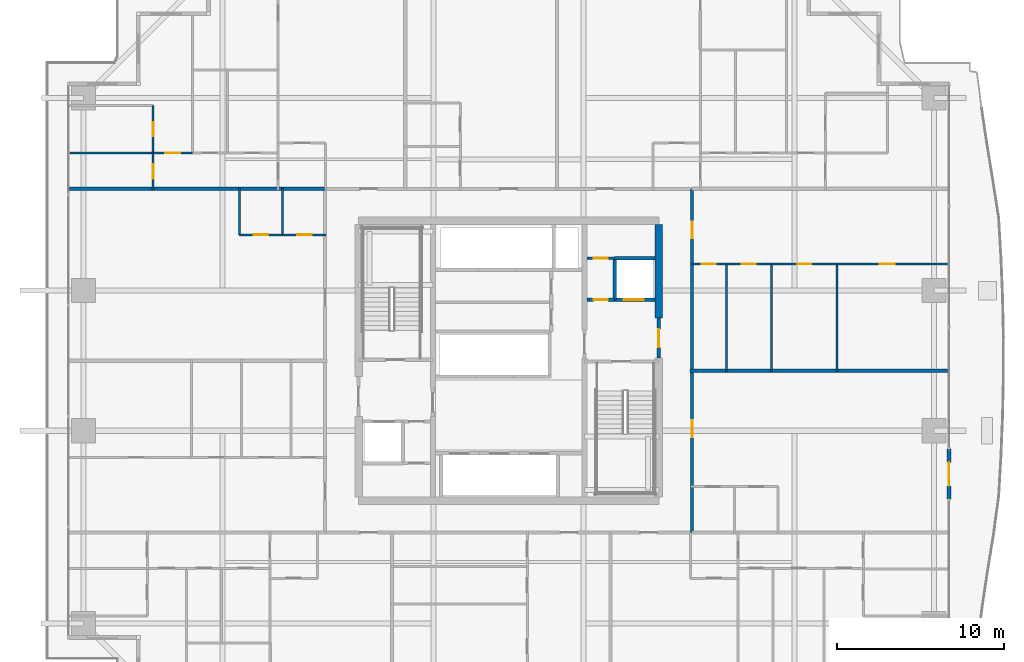
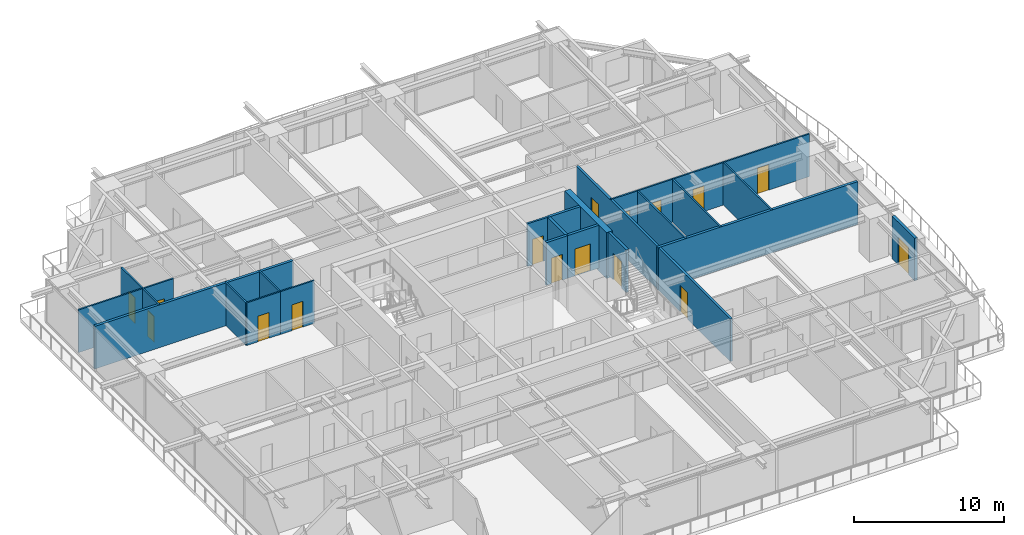
# One storey, part 30 of 38: 26 walls, 16 doors, 16 openings.
"""IFC4 building model written with IfcOpenShell, lengths in metres."""

from ifc_helpers import new_model, si_unit, direction, frame, frame_2d, origin, place, context, subcontext, project, spatial, rectangle, extrude, source, transform, mapped, material, layer, layer_set, type_object, element, fill, save


model = new_model("IFC4")

# Units and contexts
model_context = context("Model", 3, precision=1e-05, world=origin(), true_north=direction((0.0, 1.0)))
body_context = subcontext(model_context, "Body", "Model", "MODEL_VIEW")
ifc_project = project(units=[si_unit("LENGTHUNIT", "METRE"), si_unit("AREAUNIT", "SQUARE_METRE"), si_unit("VOLUMEUNIT", "CUBIC_METRE"), si_unit("PLANEANGLEUNIT", "RADIAN"), si_unit("MASSUNIT", "GRAM", prefix="KILO")], contexts=[model_context])

# Site, building, storey
site_placement = place(None, origin())
site = spatial("IfcSite", under=ifc_project, at=site_placement, CompositionType="ELEMENT")
building_placement = place(site_placement, origin())
building = spatial("IfcBuilding", under=site, at=building_placement, Name="Serunith Strait Residences", CompositionType="ELEMENT")
storey_placement = place(building_placement, frame((0.0, 0.0, 37.949951171875)))
storey = spatial("IfcBuildingStorey", under=building, at=storey_placement, Name="L08", CompositionType="ELEMENT", Elevation=37.949951171875)

# Wall, opening, door
ifc_material_1 = material(Name="Pale-Champagne Aluminium Insulated Panel", Category="aluminium")
ifc_layer_1 = layer(ifc_material_1, 0.219970703125, Name="Pale-Champagne Aluminium Insulated Panel")
ifc_layer_set_1 = layer_set([ifc_layer_1], Name="Pale-Champagne Aluminium Insulated Panel")
wall_type_1 = type_object("IfcWallType", Name="EW-ALUM-220", PredefinedType="ELEMENTEDWALL", material=ifc_layer_set_1)
wall_1_placement = place(storey_placement, frame((58.800048828125, 16.89990234375, 0.0), z_axis=(0.0, 0.0, 1.0), x_axis=(0.0, 1.0, 0.0)))
wall_1 = element("IfcWall", 1, at=wall_1_placement, inside=storey, type_object=wall_type_1, Name="L08 E Facade Pier Wall", PredefinedType="ELEMENTEDWALL", context=body_context, shape_type="SweptSolid", body=[
    extrude(rectangle(XDim=3.0, YDim=0.219970703125, at=frame_2d((1.5, 0.0))), origin(), (0.0, 0.0, 1.0), 3.47509765625),
])
opening_1_placement = place(wall_1_placement, frame((0.800048828125, 0.0, 0.0)))
opening_1 = element("IfcOpeningElement", 2, at=opening_1_placement, cuts=wall_1, Name="Opening ED-04", PredefinedType="OPENING", context=body_context, shape_type="SweptSolid", body=[
    extrude(rectangle(XDim=1.39990234375, YDim=2.25, at=frame_2d((0.699951171875, 1.125))), frame((0.0, 0.1201171875, 0.0), z_axis=(0.0, -1.0, 0.0), x_axis=(1.0, 0.0, 0.0)), (0.0, 0.0, 1.0), 0.239990234375),
])
ifc_material_2 = material(Name="Thermally-Broken Aluminium Sliding Balcony Door", Category="aluminium")
door_type_1 = type_object("IfcDoorType", Name="ED-BALC-1400", OperationType="NOTDEFINED", PredefinedType="DOOR", material=ifc_material_2)
shared_shape_1 = source(origin(), body_context, "Body", "SweptSolid", [
    extrude(rectangle(XDim=1.39990234375, YDim=2.25, at=frame_2d((0.699951171875, 1.125))), frame((0.0, 0.02490234375, 0.0), z_axis=(0.0, -1.0, 0.0), x_axis=(1.0, 0.0, 0.0)), (0.0, 0.0, 1.0), 0.050048828125),
])
door_1_placement = place(opening_1_placement, origin())
door_1 = element("IfcDoor", 3, at=door_1_placement, inside=storey, type_object=door_type_1, Name="L08 E Vertical-Forest Balcony Door", OperationType="SLIDING_TO_LEFT", OverallHeight=2.25, OverallWidth=1.39990234375, PredefinedType="DOOR", context=body_context, shape_type="MappedRepresentation", body=[
    mapped(shared_shape_1, transform((0.0, 0.0, 0.0), scale=1.0)),
])
fill(opening_1, door_1)

ifc_material_3 = material(Name="Fire-rated masonry service closet wall", Category="masonry")
ifc_layer_2 = layer(ifc_material_3, 0.14990234375, Name="Fire-rated masonry service closet wall")
ifc_layer_set_2 = layer_set([ifc_layer_2], Name="Fire-rated masonry service closet wall")
wall_type_2 = type_object("IfcWallType", Name="IW-BOH-150", PredefinedType="PARTITIONING", material=ifc_layer_set_2)
wall_2_placement = place(storey_placement, frame((37.10009765625, 31.35009765625, 0.0), z_axis=(0.0, 0.0, 1.0), x_axis=(1.0, 0.0, 0.0)))
wall_2 = element("IfcWall", 4, at=wall_2_placement, inside=storey, type_object=wall_type_2, Name="L08 Partition Wall 013", PredefinedType="PARTITIONING", context=body_context, shape_type="SweptSolid", body=[
    extrude(rectangle(XDim=1.64794921875, YDim=0.14990234375, at=frame_2d((0.823974609375, 0.0))), origin(), (0.0, 0.0, 1.0), 3.489990234375),
])
opening_2_placement = place(wall_2_placement, frame((0.39892578125, 0.0, 0.0)))
opening_2 = element("IfcOpeningElement", 5, at=opening_2_placement, cuts=wall_2, Name="Opening FD-850", PredefinedType="OPENING", context=body_context, shape_type="SweptSolid", body=[
    extrude(rectangle(XDim=0.85009765625, YDim=2.10009765625, at=frame_2d((0.425048828125, 1.050048828125))), frame((0.0, 0.0849609375, 0.0), z_axis=(0.0, -1.0, 0.0), x_axis=(1.0, 0.0, 0.0)), (0.0, 0.0, 1.0), 0.169921875),
])
ifc_material_4 = material(Name="Powder-coated steel service closet door", Category="steel")
door_type_2 = type_object("IfcDoorType", Name="FD-BOH-850", OperationType="NOTDEFINED", PredefinedType="DOOR", material=ifc_material_4)
shared_shape_2 = source(origin(), body_context, "Body", "SweptSolid", [
    extrude(rectangle(XDim=0.85009765625, YDim=2.10009765625, at=frame_2d((0.425048828125, 1.050048828125))), frame((0.0, 0.02490234375, 0.0), z_axis=(0.0, -1.0, 0.0), x_axis=(1.0, 0.0, 0.0)), (0.0, 0.0, 1.0), 0.050048828125),
])
door_2_placement = place(opening_2_placement, origin())
door_2 = element("IfcDoor", 6, at=door_2_placement, inside=storey, type_object=door_type_2, Name="L08 Refuse Store Door", OperationType="SINGLE_SWING_LEFT", OverallHeight=2.10009765625, OverallWidth=0.85009765625, PredefinedType="DOOR", context=body_context, shape_type="MappedRepresentation", body=[
    mapped(shared_shape_2, transform((0.0, 0.0, 0.0), scale=1.0)),
])
fill(opening_2, door_2)

# Wall, openings, doors
ifc_material_5 = material(Name="Fire-rated acoustic gypsum partition")
ifc_layer_3 = layer(ifc_material_5, 0.179931640625, Name="Fire-rated acoustic gypsum partition")
ifc_layer_set_3 = layer_set([ifc_layer_3], Name="Fire-rated acoustic gypsum partition")
wall_type_3 = type_object("IfcWallType", Name="IW-CORR-180", PredefinedType="PARTITIONING", material=ifc_layer_set_3)
wall_3_placement = place(storey_placement, frame((43.39990234375, 14.89990234375, 0.0), z_axis=(0.0, 0.0, 1.0), x_axis=(0.0, 1.0, 0.0)))
wall_3 = element("IfcWall", 7, at=wall_3_placement, inside=storey, type_object=wall_type_3, Name="L08 Partition Wall 030", PredefinedType="PARTITIONING", context=body_context, shape_type="SweptSolid", body=[
    extrude(rectangle(XDim=20.60009765625, YDim=0.179931640625, at=frame_2d((10.300048828125, 0.0))), origin(), (0.0, 0.0, 1.0), 3.489990234375),
])
opening_3_placement = place(wall_3_placement, frame((5.722900390625, 0.0, 0.0)))
opening_3 = element("IfcOpeningElement", 8, at=opening_3_placement, cuts=wall_3, Name="Opening D-APT1000", PredefinedType="OPENING", context=body_context, shape_type="SweptSolid", body=[
    extrude(rectangle(XDim=1.0, YDim=2.14990234375, at=frame_2d((0.5, 1.074951171875))), frame((0.0, 0.10009765625, 0.0), z_axis=(0.0, -1.0, 0.0), x_axis=(1.0, 0.0, 0.0)), (0.0, 0.0, 1.0), 0.199951171875),
])
opening_4_placement = place(wall_3_placement, frame((17.639892578125, 0.0, 0.0)))
opening_4 = element("IfcOpeningElement", 9, at=opening_4_placement, cuts=wall_3, Name="Opening D-APT1000", PredefinedType="OPENING", context=body_context, shape_type="SweptSolid", body=[
    extrude(rectangle(XDim=1.0, YDim=2.14990234375, at=frame_2d((0.5, 1.074951171875))), frame((0.0, 0.10009765625, 0.0), z_axis=(0.0, -1.0, 0.0), x_axis=(1.0, 0.0, 0.0)), (0.0, 0.0, 1.0), 0.199951171875),
])
ifc_material_6 = material(Name="Solid timber engineered fire door", Category="wood")
door_type_3 = type_object("IfcDoorType", Name="ID-APT-1000", OperationType="NOTDEFINED", PredefinedType="DOOR", material=ifc_material_6)
shared_shape_3 = source(origin(), body_context, "Body", "SweptSolid", [
    extrude(rectangle(XDim=1.0, YDim=2.14990234375, at=frame_2d((0.5, 1.074951171875))), frame((0.0, 0.02490234375, 0.0), z_axis=(0.0, -1.0, 0.0), x_axis=(1.0, 0.0, 0.0)), (0.0, 0.0, 1.0), 0.050048828125),
])
door_3_placement = place(opening_3_placement, origin())
door_3 = element("IfcDoor", 10, at=door_3_placement, inside=storey, type_object=door_type_3, Name="L08 Unit 09 Entrance Door", OperationType="SINGLE_SWING_RIGHT", OverallHeight=2.14990234375, OverallWidth=1.0, PredefinedType="DOOR", context=body_context, shape_type="MappedRepresentation", body=[
    mapped(shared_shape_3, transform((0.0, 0.0, 0.0), scale=1.0)),
])
fill(opening_3, door_3)
door_4_placement = place(opening_4_placement, origin())
door_4 = element("IfcDoor", 11, at=door_4_placement, inside=storey, type_object=door_type_3, Name="L08 Unit 10 Entrance Door", OperationType="SINGLE_SWING_LEFT", OverallHeight=2.14990234375, OverallWidth=1.0, PredefinedType="DOOR", context=body_context, shape_type="MappedRepresentation", body=[
    mapped(shared_shape_3, transform((0.0, 0.0, 0.0), scale=1.0)),
])
fill(opening_4, door_4)

# Wall, opening, door
ifc_material_7 = material(Name="Lightweight steel-stud gypsum partition", Category="steel")
ifc_layer_4 = layer(ifc_material_7, 0.1201171875, Name="Lightweight steel-stud gypsum partition")
ifc_layer_set_4 = layer_set([ifc_layer_4], Name="Lightweight steel-stud gypsum partition")
wall_type_4 = type_object("IfcWallType", Name="IW-PART-120", PredefinedType="PARTITIONING", material=ifc_layer_set_4)
wall_4_placement = place(storey_placement, frame((11.080078125, 37.64990234375, 0.0), z_axis=(0.0, 0.0, 1.0), x_axis=(1.0, 0.0, 0.0)))
wall_4 = element("IfcWall", 12, at=wall_4_placement, inside=storey, type_object=wall_type_4, Name="L08 Partition Wall 078", PredefinedType="PARTITIONING", context=body_context, shape_type="SweptSolid", body=[
    extrude(rectangle(XDim=2.347900390625, YDim=0.1201171875, at=frame_2d((1.173828125, 0.0))), origin(), (0.0, 0.0, 1.0), 3.489990234375),
])
opening_5_placement = place(wall_4_placement, frame((0.72412109375, 0.0, 0.0)))
opening_5 = element("IfcOpeningElement", 13, at=opening_5_placement, cuts=wall_4, Name="Opening D-RM900", PredefinedType="OPENING", context=body_context, shape_type="SweptSolid", body=[
    extrude(rectangle(XDim=0.89990234375, YDim=2.10009765625, at=frame_2d((0.449951171875, 1.050048828125))), frame((0.0, 0.070068359375, 0.0), z_axis=(0.0, -1.0, 0.0), x_axis=(1.0, 0.0, 0.0)), (0.0, 0.0, 1.0), 0.14013671875),
])
ifc_material_8 = material(Name="Engineered timber flush bedroom door", Category="wood")
door_type_4 = type_object("IfcDoorType", Name="ID-ROOM-900", OperationType="NOTDEFINED", PredefinedType="DOOR", material=ifc_material_8)
shared_shape_4 = source(origin(), body_context, "Body", "SweptSolid", [
    extrude(rectangle(XDim=0.89990234375, YDim=2.10009765625, at=frame_2d((0.449951171875, 1.050048828125))), frame((0.0, 0.02490234375, 0.0), z_axis=(0.0, -1.0, 0.0), x_axis=(1.0, 0.0, 0.0)), (0.0, 0.0, 1.0), 0.050048828125),
])
door_5_placement = place(opening_5_placement, origin())
door_5 = element("IfcDoor", 14, at=door_5_placement, inside=storey, type_object=door_type_4, Name="L08 Master Bedroom W 0804 Door", OperationType="SINGLE_SWING_LEFT", OverallHeight=2.10009765625, OverallWidth=0.89990234375, PredefinedType="DOOR", context=body_context, shape_type="MappedRepresentation", body=[
    mapped(shared_shape_4, transform((0.0, 0.0, 0.0), scale=1.0)),
])
fill(opening_5, door_5)

# Wall
wall_5_placement = place(storey_placement, frame((6.094970703125, 37.6630859375, 0.0), z_axis=(0.0, 0.0, 1.0), x_axis=(1.0, 0.0, 0.0)))
element("IfcWall", 15, at=wall_5_placement, inside=storey, type_object=wall_type_4, Name="L08 Partition Wall 080", PredefinedType="PARTITIONING", context=body_context, shape_type="SweptSolid", body=[
    extrude(rectangle(XDim=4.98291015625, YDim=0.1201171875, at=frame_2d((2.491455078125, 0.0))), origin(), (0.0, 0.0, 1.0), 3.489990234375),
])

# Wall, opening, door
wall_6_placement = place(storey_placement, frame((11.080078125, 40.506103515625, 0.0), z_axis=(0.0, 0.0, 1.0), x_axis=(0.0, -1.0, 0.0)))
wall_6 = element("IfcWall", 16, at=wall_6_placement, inside=storey, type_object=wall_type_4, Name="L08 Partition Wall 081", PredefinedType="PARTITIONING", context=body_context, shape_type="SweptSolid", body=[
    extrude(rectangle(XDim=2.843017578125, YDim=0.1201171875, at=frame_2d((1.42138671875, 0.0))), origin(), (0.0, 0.0, 1.0), 3.489990234375),
])
opening_6_placement = place(wall_6_placement, frame((0.9970703125, 0.0, 0.0)))
opening_6 = element("IfcOpeningElement", 17, at=opening_6_placement, cuts=wall_6, Name="Opening D-BTH850", PredefinedType="OPENING", context=body_context, shape_type="SweptSolid", body=[
    extrude(rectangle(XDim=0.85009765625, YDim=2.10009765625, at=frame_2d((0.425048828125, 1.050048828125))), frame((0.0, 0.070068359375, 0.0), z_axis=(0.0, -1.0, 0.0), x_axis=(1.0, 0.0, 0.0)), (0.0, 0.0, 1.0), 0.14013671875),
])
ifc_material_9 = material(Name="Moisture-resistant timber bathroom door", Category="wood")
door_type_5 = type_object("IfcDoorType", Name="ID-BATH-850", OperationType="NOTDEFINED", PredefinedType="DOOR", material=ifc_material_9)
door_6_placement = place(opening_6_placement, origin())
door_6 = element("IfcDoor", 18, at=door_6_placement, inside=storey, type_object=door_type_5, Name="L08 En-suite Bathroom W 0804 Door", OperationType="SINGLE_SWING_RIGHT", OverallHeight=2.10009765625, OverallWidth=0.85009765625, PredefinedType="DOOR", context=body_context, shape_type="MappedRepresentation", body=[
    mapped(shared_shape_2, transform((0.0, 0.0, 0.0), scale=1.0)),
])
fill(opening_6, door_6)

wall_7_placement = place(storey_placement, frame((11.080078125, 37.64990234375, 0.0), z_axis=(0.0, 0.0, 1.0), x_axis=(0.0, -1.0, 0.0)))
wall_7 = element("IfcWall", 19, at=wall_7_placement, inside=storey, type_object=wall_type_4, Name="L08 Partition Wall 082", PredefinedType="PARTITIONING", context=body_context, shape_type="SweptSolid", body=[
    extrude(rectangle(XDim=2.2099609375, YDim=0.1201171875, at=frame_2d((1.10498046875, 0.0))), origin(), (0.0, 0.0, 1.0), 3.489990234375),
])
opening_7_placement = place(wall_7_placement, frame((0.679931640625, 0.0, 0.0)))
opening_7 = element("IfcOpeningElement", 20, at=opening_7_placement, cuts=wall_7, Name="Opening D-RM850", PredefinedType="OPENING", context=body_context, shape_type="SweptSolid", body=[
    extrude(rectangle(XDim=0.85009765625, YDim=2.10009765625, at=frame_2d((0.425048828125, 1.050048828125))), frame((0.0, 0.070068359375, 0.0), z_axis=(0.0, -1.0, 0.0), x_axis=(1.0, 0.0, 0.0)), (0.0, 0.0, 1.0), 0.14013671875),
])
ifc_material_10 = material(Name="Engineered timber flush study and kitchen door", Category="wood")
door_type_6 = type_object("IfcDoorType", Name="ID-ROOM-850", OperationType="NOTDEFINED", PredefinedType="DOOR", material=ifc_material_10)
door_7_placement = place(opening_7_placement, origin())
door_7 = element("IfcDoor", 21, at=door_7_placement, inside=storey, type_object=door_type_6, Name="L08 Wardrobe W 0804 Door", OperationType="SINGLE_SWING_LEFT", OverallHeight=2.10009765625, OverallWidth=0.85009765625, PredefinedType="DOOR", context=body_context, shape_type="MappedRepresentation", body=[
    mapped(shared_shape_2, transform((0.0, 0.0, 0.0), scale=1.0)),
])
fill(opening_7, door_7)

wall_8_placement = place(storey_placement, frame((16.25, 32.75, 0.0), z_axis=(0.0, 0.0, 1.0), x_axis=(1.0, 0.0, 0.0)))
wall_8 = element("IfcWall", 22, at=wall_8_placement, inside=storey, type_object=wall_type_4, Name="L08 Partition Wall 110", PredefinedType="PARTITIONING", context=body_context, shape_type="SweptSolid", body=[
    extrude(rectangle(XDim=2.60009765625, YDim=0.1201171875, at=frame_2d((1.300048828125, 0.0))), origin(), (0.0, 0.0, 1.0), 3.489990234375),
])
opening_8_placement = place(wall_8_placement, frame((0.875, 0.0, 0.0)))
opening_8 = element("IfcOpeningElement", 23, at=opening_8_placement, cuts=wall_8, Name="Opening D-RM850", PredefinedType="OPENING", context=body_context, shape_type="SweptSolid", body=[
    extrude(rectangle(XDim=0.85009765625, YDim=2.10009765625, at=frame_2d((0.425048828125, 1.050048828125))), frame((0.0, 0.070068359375, 0.0), z_axis=(0.0, -1.0, 0.0), x_axis=(1.0, 0.0, 0.0)), (0.0, 0.0, 1.0), 0.14013671875),
])
door_8_placement = place(opening_8_placement, origin())
door_8 = element("IfcDoor", 24, at=door_8_placement, inside=storey, type_object=door_type_6, Name="L08 Kitchen 0808 Door", OperationType="SINGLE_SWING_RIGHT", OverallHeight=2.10009765625, OverallWidth=0.85009765625, PredefinedType="DOOR", context=body_context, shape_type="MappedRepresentation", body=[
    mapped(shared_shape_2, transform((0.0, 0.0, 0.0), scale=1.0)),
])
fill(opening_8, door_8)

wall_9_placement = place(storey_placement, frame((18.85205078125, 32.75, 0.0), z_axis=(0.0, 0.0, 1.0), x_axis=(1.0, 0.0, 0.0)))
wall_9 = element("IfcWall", 25, at=wall_9_placement, inside=storey, type_object=wall_type_4, Name="L08 Partition Wall 111", PredefinedType="PARTITIONING", context=body_context, shape_type="SweptSolid", body=[
    extrude(rectangle(XDim=2.60791015625, YDim=0.1201171875, at=frame_2d((1.303955078125, 0.0))), origin(), (0.0, 0.0, 1.0), 3.489990234375),
])
opening_9_placement = place(wall_9_placement, frame((0.87890625, 0.0, 0.0)))
opening_9 = element("IfcOpeningElement", 26, at=opening_9_placement, cuts=wall_9, Name="Opening D-BTH850", PredefinedType="OPENING", context=body_context, shape_type="SweptSolid", body=[
    extrude(rectangle(XDim=0.85009765625, YDim=2.10009765625, at=frame_2d((0.425048828125, 1.050048828125))), frame((0.0, 0.070068359375, 0.0), z_axis=(0.0, -1.0, 0.0), x_axis=(1.0, 0.0, 0.0)), (0.0, 0.0, 1.0), 0.14013671875),
])
door_9_placement = place(opening_9_placement, origin())
door_9 = element("IfcDoor", 27, at=door_9_placement, inside=storey, type_object=door_type_5, Name="L08 Bathroom 0808 Door", OperationType="SINGLE_SWING_LEFT", OverallHeight=2.10009765625, OverallWidth=0.85009765625, PredefinedType="DOOR", context=body_context, shape_type="MappedRepresentation", body=[
    mapped(shared_shape_2, transform((0.0, 0.0, 0.0), scale=1.0)),
])
fill(opening_9, door_9)

# Walls
for number, where, z_axis, x_axis, name in (
    (28, (18.85009765625, 32.75, 0.0), (0.0, 0.0, 1.0), (0.0, 1.0, 0.0), "L08 Partition Wall 112"),
    (29, (16.25, 32.75, 0.0), (0.0, 0.0, 1.0), (0.0, 1.0, 0.0), "L08 Partition Wall 113"),
):
    element("IfcWall", number, at=place(storey_placement, frame(where, z_axis=z_axis, x_axis=x_axis)), inside=storey, type_object=wall_type_4, Name=name, PredefinedType="PARTITIONING", context=body_context, shape_type="SweptSolid", body=[
        extrude(rectangle(XDim=2.81005859375, YDim=0.1201171875, at=frame_2d((1.405029296875, 0.0))), origin(), (0.0, 0.0, 1.0), 3.489990234375),
    ])

# Wall, opening, door
wall_10_placement = place(storey_placement, frame((58.705078125, 31.0, 0.0), z_axis=(0.0, 0.0, 1.0), x_axis=(-1.0, 0.0, 0.0)))
wall_10 = element("IfcWall", 30, at=wall_10_placement, inside=storey, type_object=wall_type_4, Name="L08 Partition Wall 118", PredefinedType="PARTITIONING", context=body_context, shape_type="SweptSolid", body=[
    extrude(rectangle(XDim=6.6171875, YDim=0.1201171875, at=frame_2d((3.30859375, 0.0))), origin(), (0.0, 0.0, 1.0), 3.489990234375),
])
opening_10_placement = place(wall_10_placement, frame((3.14404296875, 0.0, 0.0)))
opening_10 = element("IfcOpeningElement", 31, at=opening_10_placement, cuts=wall_10, Name="Opening D-RM900", PredefinedType="OPENING", context=body_context, shape_type="SweptSolid", body=[
    extrude(rectangle(XDim=0.89990234375, YDim=2.10009765625, at=frame_2d((0.449951171875, 1.050048828125))), frame((0.0, 0.070068359375, 0.0), z_axis=(0.0, -1.0, 0.0), x_axis=(1.0, 0.0, 0.0)), (0.0, 0.0, 1.0), 0.14013671875),
])
door_10_placement = place(opening_10_placement, origin())
door_10 = element("IfcDoor", 32, at=door_10_placement, inside=storey, type_object=door_type_4, Name="L08 Master Bedroom 1 0810 Door", OperationType="SINGLE_SWING_RIGHT", OverallHeight=2.10009765625, OverallWidth=0.89990234375, PredefinedType="DOOR", context=body_context, shape_type="MappedRepresentation", body=[
    mapped(shared_shape_4, transform((0.0, 0.0, 0.0), scale=1.0)),
])
fill(opening_10, door_10)

# Walls
for number, where, z_axis, x_axis, name in (
    (33, (52.087890625, 24.5400390625, 0.0), (0.0, 0.0, 1.0), (0.0, 1.0, 0.0), "L08 Partition Wall 119"),
    (34, (48.153076171875, 24.5400390625, 0.0), (0.0, 0.0, 1.0), (0.0, 1.0, 0.0), "L08 Partition Wall 120"),
    (35, (45.449951171875, 24.5400390625, 0.0), (0.0, 0.0, 1.0), (0.0, 1.0, 0.0), "L08 Partition Wall 121"),
):
    element("IfcWall", number, at=place(storey_placement, frame(where, z_axis=z_axis, x_axis=x_axis)), inside=storey, type_object=wall_type_4, Name=name, PredefinedType="PARTITIONING", context=body_context, shape_type="SweptSolid", body=[
        extrude(rectangle(XDim=6.4599609375, YDim=0.1201171875, at=frame_2d((3.22998046875, 0.0))), origin(), (0.0, 0.0, 1.0), 3.489990234375),
    ])

# Wall, opening, door
wall_11_placement = place(storey_placement, frame((52.0859375, 31.0, 0.0), z_axis=(0.0, 0.0, 1.0), x_axis=(-1.0, 0.0, 0.0)))
wall_11 = element("IfcWall", 36, at=wall_11_placement, inside=storey, type_object=wall_type_4, Name="L08 Partition Wall 122", PredefinedType="PARTITIONING", context=body_context, shape_type="SweptSolid", body=[
    extrude(rectangle(XDim=3.932861328125, YDim=0.1201171875, at=frame_2d((1.96630859375, 0.0))), origin(), (0.0, 0.0, 1.0), 3.489990234375),
])
opening_11_placement = place(wall_11_placement, frame((1.541015625, 0.0, 0.0)))
opening_11 = element("IfcOpeningElement", 37, at=opening_11_placement, cuts=wall_11, Name="Opening D-RM850", PredefinedType="OPENING", context=body_context, shape_type="SweptSolid", body=[
    extrude(rectangle(XDim=0.85009765625, YDim=2.10009765625, at=frame_2d((0.425048828125, 1.050048828125))), frame((0.0, 0.070068359375, 0.0), z_axis=(0.0, -1.0, 0.0), x_axis=(1.0, 0.0, 0.0)), (0.0, 0.0, 1.0), 0.14013671875),
])
door_11_placement = place(opening_11_placement, origin())
door_11 = element("IfcDoor", 38, at=door_11_placement, inside=storey, type_object=door_type_6, Name="L08 Dining 0810 Door", OperationType="SINGLE_SWING_LEFT", OverallHeight=2.10009765625, OverallWidth=0.85009765625, PredefinedType="DOOR", context=body_context, shape_type="MappedRepresentation", body=[
    mapped(shared_shape_2, transform((0.0, 0.0, 0.0), scale=1.0)),
])
fill(opening_11, door_11)

wall_12_placement = place(storey_placement, frame((48.15087890625, 31.0, 0.0), z_axis=(0.0, 0.0, 1.0), x_axis=(-1.0, 0.0, 0.0)))
wall_12 = element("IfcWall", 39, at=wall_12_placement, inside=storey, type_object=wall_type_4, Name="L08 Partition Wall 123", PredefinedType="PARTITIONING", context=body_context, shape_type="SweptSolid", body=[
    extrude(rectangle(XDim=2.700927734375, YDim=0.1201171875, at=frame_2d((1.3505859375, 0.0))), origin(), (0.0, 0.0, 1.0), 3.489990234375),
])
opening_12_placement = place(wall_12_placement, frame((0.926025390625, 0.0, 0.0)))
opening_12 = element("IfcOpeningElement", 40, at=opening_12_placement, cuts=wall_12, Name="Opening D-RM850", PredefinedType="OPENING", context=body_context, shape_type="SweptSolid", body=[
    extrude(rectangle(XDim=0.85009765625, YDim=2.10009765625, at=frame_2d((0.425048828125, 1.050048828125))), frame((0.0, 0.070068359375, 0.0), z_axis=(0.0, -1.0, 0.0), x_axis=(1.0, 0.0, 0.0)), (0.0, 0.0, 1.0), 0.14013671875),
])
door_12_placement = place(opening_12_placement, origin())
door_12 = element("IfcDoor", 41, at=door_12_placement, inside=storey, type_object=door_type_6, Name="L08 Kitchen 0810 Door", OperationType="SINGLE_SWING_RIGHT", OverallHeight=2.10009765625, OverallWidth=0.85009765625, PredefinedType="DOOR", context=body_context, shape_type="MappedRepresentation", body=[
    mapped(shared_shape_2, transform((0.0, 0.0, 0.0), scale=1.0)),
])
fill(opening_12, door_12)

wall_13_placement = place(storey_placement, frame((45.447998046875, 31.0, 0.0), z_axis=(0.0, 0.0, 1.0), x_axis=(-1.0, 0.0, 0.0)))
wall_13 = element("IfcWall", 42, at=wall_13_placement, inside=storey, type_object=wall_type_4, Name="L08 Partition Wall 124", PredefinedType="PARTITIONING", context=body_context, shape_type="SweptSolid", body=[
    extrude(rectangle(XDim=2.10791015625, YDim=0.1201171875, at=frame_2d((1.053955078125, 0.0))), origin(), (0.0, 0.0, 1.0), 3.489990234375),
])
opening_13_placement = place(wall_13_placement, frame((0.62890625, 0.0, 0.0)))
opening_13 = element("IfcOpeningElement", 43, at=opening_13_placement, cuts=wall_13, Name="Opening D-BTH850", PredefinedType="OPENING", context=body_context, shape_type="SweptSolid", body=[
    extrude(rectangle(XDim=0.85009765625, YDim=2.10009765625, at=frame_2d((0.425048828125, 1.050048828125))), frame((0.0, 0.070068359375, 0.0), z_axis=(0.0, -1.0, 0.0), x_axis=(1.0, 0.0, 0.0)), (0.0, 0.0, 1.0), 0.14013671875),
])
door_13_placement = place(opening_13_placement, origin())
door_13 = element("IfcDoor", 44, at=door_13_placement, inside=storey, type_object=door_type_5, Name="L08 Bathroom 0810 Door", OperationType="SINGLE_SWING_LEFT", OverallHeight=2.10009765625, OverallWidth=0.85009765625, PredefinedType="DOOR", context=body_context, shape_type="MappedRepresentation", body=[
    mapped(shared_shape_2, transform((0.0, 0.0, 0.0), scale=1.0)),
])
fill(opening_13, door_13)

# Walls
ifc_material_11 = material(Name="Twin-stud acoustic gypsum board partition")
ifc_layer_5 = layer(ifc_material_11, 0.199951171875, Name="Twin-stud acoustic gypsum board partition")
ifc_layer_set_5 = layer_set([ifc_layer_5], Name="Twin-stud acoustic gypsum board partition")
wall_type_5 = type_object("IfcWallType", Name="IW-PARTY-200", PredefinedType="PARTITIONING", material=ifc_layer_set_5)
wall_14_placement = place(storey_placement, frame((43.280029296875, 24.60009765625, 0.0), z_axis=(0.0, 0.0, 1.0), x_axis=(1.0, 0.0, 0.0)))
element("IfcWall", 45, at=wall_14_placement, inside=storey, type_object=wall_type_5, Name="L08 Partition Wall 022", PredefinedType="PARTITIONING", context=body_context, shape_type="SweptSolid", body=[
    extrude(rectangle(XDim=15.43798828125, YDim=0.199951171875, at=frame_2d((7.718994140625, 0.0))), origin(), (0.0, 0.0, 1.0), 3.489990234375),
])
wall_15_placement = place(storey_placement, frame((6.08203125, 35.5, 0.0), z_axis=(0.0, 0.0, 1.0), x_axis=(1.0, 0.0, 0.0)))
element("IfcWall", 46, at=wall_15_placement, inside=storey, type_object=wall_type_5, Name="L08 Partition Wall 025", PredefinedType="PARTITIONING", context=body_context, shape_type="SweptSolid", body=[
    extrude(rectangle(XDim=15.31787109375, YDim=0.199951171875, at=frame_2d((7.658935546875, 0.0))), origin(), (0.0, 0.0, 1.0), 3.489990234375),
])

# Wall, opening, door
ifc_material_12 = material(Name="Autoclaved aerated concrete blockwork", Category="masonry")
ifc_layer_6 = layer(ifc_material_12, 0.199951171875, Name="Autoclaved aerated concrete blockwork")
ifc_layer_set_6 = layer_set([ifc_layer_6], Name="Autoclaved aerated concrete blockwork")
wall_type_6 = type_object("IfcWallType", Name="IW-SHAFT-200", PredefinedType="STANDARD", material=ifc_layer_set_6)
wall_16_placement = place(storey_placement, frame((38.75, 28.85009765625, 0.0), z_axis=(0.0, 0.0, 1.0), x_axis=(1.0, 0.0, 0.0)))
wall_16 = element("IfcWall", 47, at=wall_16_placement, inside=storey, type_object=wall_type_6, Name="L08 FL-2 South Shaft Wall", PredefinedType="STANDARD", context=body_context, shape_type="SweptSolid", body=[
    extrude(rectangle(XDim=2.425048828125, YDim=0.199951171875, at=frame_2d((1.21240234375, 0.0))), origin(), (0.0, 0.0, 1.0), 3.489990234375),
])
opening_14_placement = place(wall_16_placement, frame((0.550048828125, 0.0, 0.0)))
opening_14 = element("IfcOpeningElement", 48, at=opening_14_placement, cuts=wall_16, Name="Opening LD-FF1200", PredefinedType="OPENING", context=body_context, shape_type="SweptSolid", body=[
    extrude(rectangle(XDim=1.199951171875, YDim=2.199951171875, at=frame_2d((0.60009765625, 1.10009765625))), frame((0.0, 0.10986328125, 0.0), z_axis=(0.0, -1.0, 0.0), x_axis=(1.0, 0.0, 0.0)), (0.0, 0.0, 1.0), 0.219970703125),
])
ifc_material_13 = material(Name="Brushed stainless steel landing door", Category="steel")
door_type_7 = type_object("IfcDoorType", Name="LD-FF-1200", OperationType="DOUBLE_DOOR_SLIDING", PredefinedType="DOOR", material=ifc_material_13)
shared_shape_5 = source(origin(), body_context, "Body", "SweptSolid", [
    extrude(rectangle(XDim=1.199951171875, YDim=2.199951171875, at=frame_2d((0.60009765625, 1.10009765625))), frame((0.0, 0.02490234375, 0.0), z_axis=(0.0, -1.0, 0.0), x_axis=(1.0, 0.0, 0.0)), (0.0, 0.0, 1.0), 0.050048828125),
])
door_14_placement = place(opening_14_placement, origin())
door_14 = element("IfcDoor", 49, at=door_14_placement, inside=storey, type_object=door_type_7, Name="L08 FL-2 Landing Door", OperationType="DOUBLE_DOOR_SLIDING", OverallHeight=2.199951171875, OverallWidth=1.199951171875, PredefinedType="DOOR", context=body_context, shape_type="MappedRepresentation", body=[
    mapped(shared_shape_5, transform((0.0, 0.0, 0.0), scale=1.0)),
])
fill(opening_14, door_14)

# Walls
wall_17_placement = place(storey_placement, frame((38.75, 28.85009765625, 0.0), z_axis=(0.0, 0.0, 1.0), x_axis=(0.0, 1.0, 0.0)))
element("IfcWall", 50, at=wall_17_placement, inside=storey, type_object=wall_type_6, Name="L08 Partition Wall 004", PredefinedType="STANDARD", context=body_context, shape_type="SweptSolid", body=[
    extrude(rectangle(XDim=2.5, YDim=0.199951171875, at=frame_2d((1.25, 0.0))), origin(), (0.0, 0.0, 1.0), 3.489990234375),
])
wall_18_placement = place(storey_placement, frame((38.75, 31.35009765625, 0.0), z_axis=(0.0, 0.0, 1.0), x_axis=(1.0, 0.0, 0.0)))
element("IfcWall", 51, at=wall_18_placement, inside=storey, type_object=wall_type_6, Name="L08 Partition Wall 005", PredefinedType="STANDARD", context=body_context, shape_type="SweptSolid", body=[
    extrude(rectangle(XDim=2.425048828125, YDim=0.199951171875, at=frame_2d((1.21240234375, 0.0))), origin(), (0.0, 0.0, 1.0), 3.489990234375),
])

# Wall, opening, door
wall_19_placement = place(storey_placement, frame((37.10009765625, 28.85009765625, 0.0), z_axis=(0.0, 0.0, 1.0), x_axis=(1.0, 0.0, 0.0)))
wall_19 = element("IfcWall", 52, at=wall_19_placement, inside=storey, type_object=wall_type_6, Name="L08 Partition Wall 006", PredefinedType="STANDARD", context=body_context, shape_type="SweptSolid", body=[
    extrude(rectangle(XDim=1.64794921875, YDim=0.199951171875, at=frame_2d((0.823974609375, 0.0))), origin(), (0.0, 0.0, 1.0), 3.489990234375),
])
opening_15_placement = place(wall_19_placement, frame((0.39892578125, 0.0, 0.0)))
opening_15 = element("IfcOpeningElement", 53, at=opening_15_placement, cuts=wall_19, Name="Opening FD-850", PredefinedType="OPENING", context=body_context, shape_type="SweptSolid", body=[
    extrude(rectangle(XDim=0.85009765625, YDim=2.10009765625, at=frame_2d((0.425048828125, 1.050048828125))), frame((0.0, 0.10986328125, 0.0), z_axis=(0.0, -1.0, 0.0), x_axis=(1.0, 0.0, 0.0)), (0.0, 0.0, 1.0), 0.219970703125),
])
door_15_placement = place(opening_15_placement, origin())
door_15 = element("IfcDoor", 54, at=door_15_placement, inside=storey, type_object=door_type_2, Name="L08 North-East Core Service Door", OperationType="SINGLE_SWING_LEFT", OverallHeight=2.10009765625, OverallWidth=0.85009765625, PredefinedType="DOOR", context=body_context, shape_type="MappedRepresentation", body=[
    mapped(shared_shape_2, transform((0.0, 0.0, 0.0), scale=1.0)),
])
fill(opening_15, door_15)

wall_20_placement = place(storey_placement, frame((41.39990234375, 25.35205078125, 0.0), z_axis=(0.0, 0.0, 1.0), x_axis=(0.0, 1.0, 0.0)))
wall_20 = element("IfcWall", 55, at=wall_20_placement, inside=storey, type_object=wall_type_6, Name="L08 Partition Wall 008", PredefinedType="STANDARD", context=body_context, shape_type="SweptSolid", body=[
    extrude(rectangle(XDim=2.39599609375, YDim=0.199951171875, at=frame_2d((1.197998046875, 0.0))), origin(), (0.0, 0.0, 1.0), 3.489990234375),
])
opening_16_placement = place(wall_20_placement, frame((0.64794921875, 0.0, 0.0)))
opening_16 = element("IfcOpeningElement", 56, at=opening_16_placement, cuts=wall_20, Name="Opening FD-FFL", PredefinedType="OPENING", context=body_context, shape_type="SweptSolid", body=[
    extrude(rectangle(XDim=1.10009765625, YDim=2.14990234375, at=frame_2d((0.550048828125, 1.074951171875))), frame((0.0, 0.10986328125, 0.0), z_axis=(0.0, -1.0, 0.0), x_axis=(1.0, 0.0, 0.0)), (0.0, 0.0, 1.0), 0.219970703125),
])
ifc_material_14 = material(Name="Glazed steel smoke-lobby fire door", Category="steel")
door_type_8 = type_object("IfcDoorType", Name="FD-FFL-1100", OperationType="NOTDEFINED", PredefinedType="DOOR", material=ifc_material_14)
shared_shape_6 = source(origin(), body_context, "Body", "SweptSolid", [
    extrude(rectangle(XDim=1.10009765625, YDim=2.14990234375, at=frame_2d((0.550048828125, 1.074951171875))), frame((0.0, 0.02490234375, 0.0), z_axis=(0.0, -1.0, 0.0), x_axis=(1.0, 0.0, 0.0)), (0.0, 0.0, 1.0), 0.050048828125),
])
door_16_placement = place(opening_16_placement, origin())
door_16 = element("IfcDoor", 57, at=door_16_placement, inside=storey, type_object=door_type_8, Name="L08 FFL-2 Corridor Fire Door", OperationType="SINGLE_SWING_LEFT", OverallHeight=2.14990234375, OverallWidth=1.10009765625, PredefinedType="DOOR", context=body_context, shape_type="MappedRepresentation", body=[
    mapped(shared_shape_6, transform((0.0, 0.0, 0.0), scale=1.0)),
])
fill(opening_16, door_16)

# Wall
ifc_material_15 = material(Name="Concrete C80/95", Category="concrete")
ifc_layer_7 = layer(ifc_material_15, 0.449951171875, Name="Concrete C80/95")
ifc_layer_set_7 = layer_set([ifc_layer_7], Name="Concrete C80/95")
wall_type_7 = type_object("IfcWallType", Name="SW-450-C80", PredefinedType="SHEAR", material=ifc_layer_set_7)
wall_21_placement = place(storey_placement, frame((41.39990234375, 27.75, -0.260009765625), z_axis=(0.0, 0.0, 1.0), x_axis=(0.0, 1.0, 0.0)))
element("IfcWall", 58, at=wall_21_placement, inside=storey, type_object=wall_type_7, Name="L08 Core East Shear Wall North Pier", PredefinedType="SHEAR", context=body_context, shape_type="SweptSolid", body=[
    extrude(rectangle(XDim=5.625, YDim=0.449951171875, at=frame_2d((2.8125, 0.0))), origin(), (0.0, 0.0, 1.0), 3.748046875),
])

save(model, "model.ifc")
